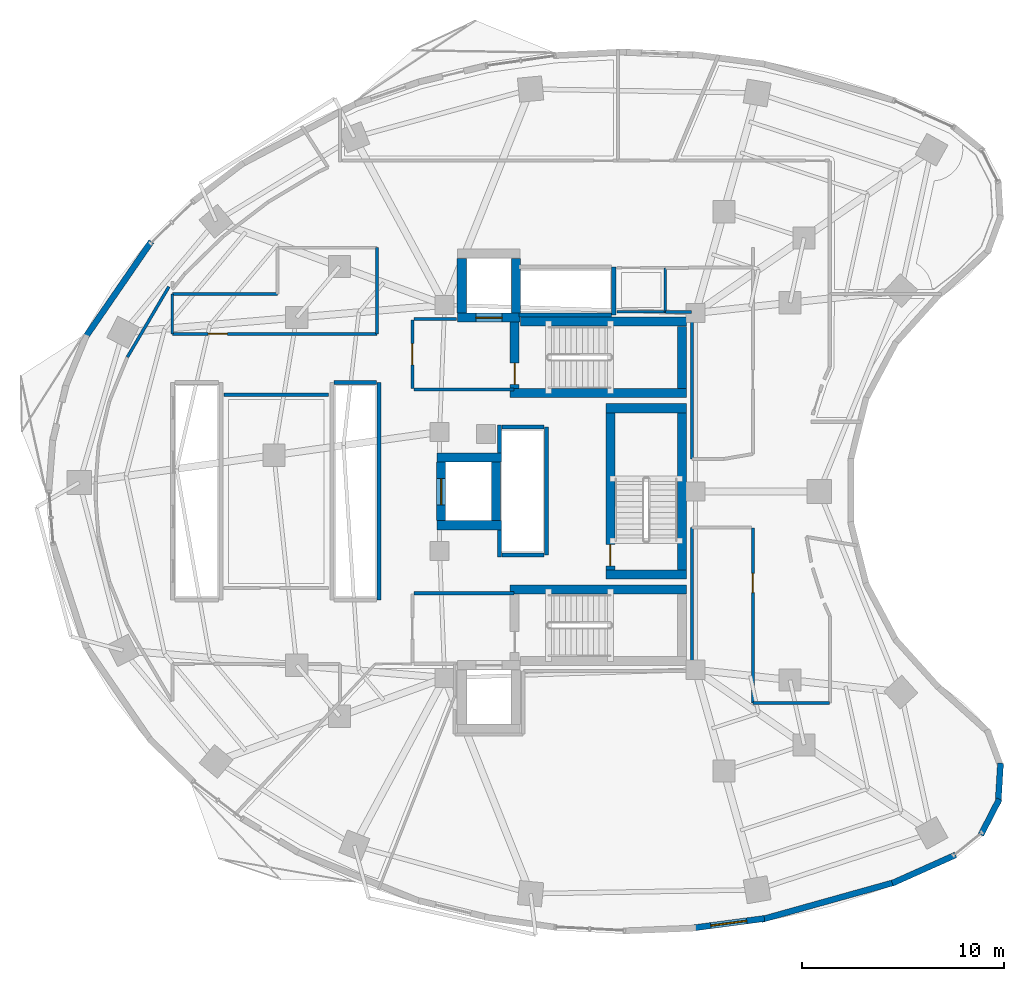
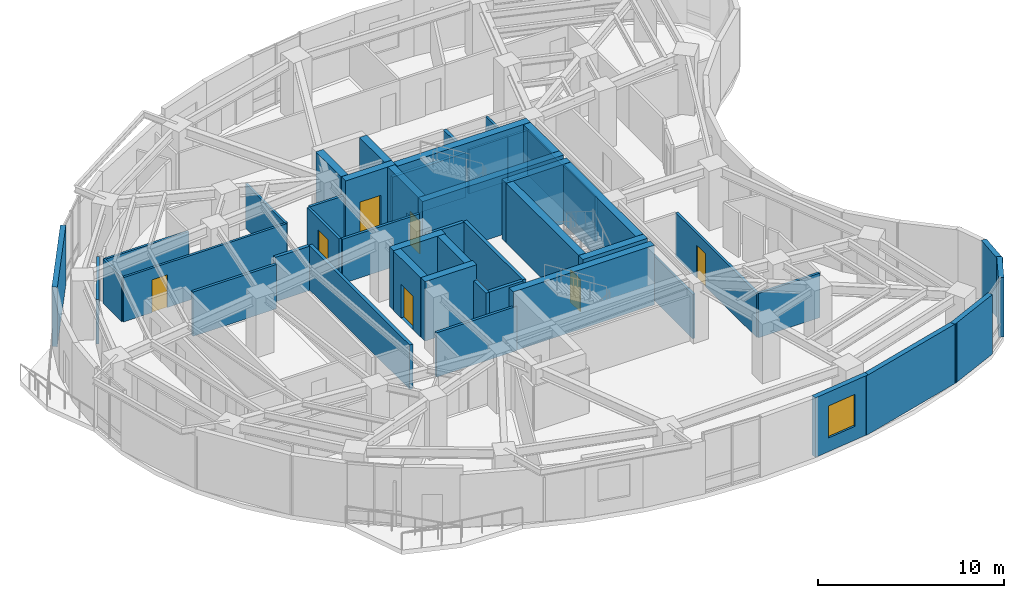
# One storey, part 9 of 14: 48 walls, 7 doors, 1 window, 8 openings.
"""IFC4 building model written with IfcOpenShell, lengths in metres."""

from ifc_helpers import new_model, si_unit, direction, frame, frame_2d, origin, place, context, subcontext, project, spatial, rectangle, extrude, material, layer, layer_set, type_object, element, fill, save


model = new_model("IFC4")

# Units and contexts
model_context = context("Model", 3, precision=1e-05, world=origin(), true_north=direction((0.0, 1.0)))
body_context = subcontext(model_context, "Body", "Model", "MODEL_VIEW")
ifc_project = project(units=[si_unit("LENGTHUNIT", "METRE"), si_unit("AREAUNIT", "SQUARE_METRE"), si_unit("VOLUMEUNIT", "CUBIC_METRE"), si_unit("PLANEANGLEUNIT", "RADIAN"), si_unit("MASSUNIT", "GRAM", prefix="KILO")], contexts=[model_context])

# Site, building, storey
site_placement = place(None, origin())
site = spatial("IfcSite", under=ifc_project, at=site_placement, CompositionType="ELEMENT")
building_placement = place(site_placement, origin())
building = spatial("IfcBuilding", under=site, at=building_placement, Name="Korentha Bioscience Tower", CompositionType="ELEMENT")
storey_placement = place(building_placement, frame((0.0, 0.0, 102.60009765625)))
storey = spatial("IfcBuildingStorey", under=building, at=storey_placement, Name="L23", CompositionType="ELEMENT", Elevation=102.60009765625)

# Wall, opening, door
ifc_material_1 = material(Name="Double-Stud Acoustic Gypsum", Category="gypsum")
ifc_layer_1 = layer(ifc_material_1, 0.14990234375, Name="Double-Stud Acoustic Gypsum")
ifc_layer_set_1 = layer_set([ifc_layer_1], Name="Double-Stud Acoustic Gypsum (IW-L150)")
wall_type_1 = type_object("IfcWallType", Name="Acoustic Laboratory Partition Wall 150", PredefinedType="PARTITIONING", material=ifc_layer_set_1)
wall_1_placement = place(storey_placement, frame((40.389892578125, 25.186279296875, 0.0), z_axis=(0.0, 0.0, 1.0), x_axis=(0.0, -1.0, 0.0)))
wall_1 = element("IfcWall", 1, at=wall_1_placement, inside=storey, type_object=wall_type_1, Name="L23 Staff Pantry Kitchenette 03 Entrance Wall", PredefinedType="PARTITIONING", context=body_context, shape_type="SweptSolid", body=[
    extrude(rectangle(XDim=8.686279296875, YDim=0.14990234375, at=frame_2d((4.34326171875, 0.0))), origin(), (0.0, 0.0, 1.0), 2.909912109375),
])
opening_1_placement = place(wall_1_placement, frame((2.25830078125, 0.0, 0.0)))
opening_1 = element("IfcOpeningElement", 2, at=opening_1_placement, cuts=wall_1, Name="Opening ID-10L", PredefinedType="OPENING", context=body_context, shape_type="SweptSolid", body=[
    extrude(rectangle(XDim=0.949951171875, YDim=2.14990234375, at=frame_2d((0.47509765625, 1.074951171875))), frame((0.0, 0.08984375, 0.0), z_axis=(0.0, -1.0, 0.0), x_axis=(1.0, 0.0, 0.0)), (0.0, 0.0, 1.0), 0.1796875),
])
ifc_material_2 = material(Name="Phenolic Laminate Timber Core", Category="wood")
door_type_1 = type_object("IfcDoorType", Name="Laboratory Single Leaf Door 950x2150 Left", OperationType="SINGLE_SWING_LEFT", PredefinedType="DOOR", material=ifc_material_2)
door_1_placement = place(opening_1_placement, origin())
door_1 = element("IfcDoor", 3, at=door_1_placement, inside=storey, type_object=door_type_1, Name="L23 Staff Pantry Kitchenette 03 Door", OperationType="SINGLE_SWING_LEFT", OverallHeight=2.14990234375, OverallWidth=0.949951171875, PredefinedType="DOOR", context=body_context, shape_type="SweptSolid", body=[
    extrude(rectangle(XDim=0.949951171875, YDim=2.14990234375, at=frame_2d((0.47509765625, 1.074951171875))), frame((0.0, 0.02490234375, 0.0), z_axis=(0.0, -1.0, 0.0), x_axis=(1.0, 0.0, 0.0)), (0.0, 0.0, 1.0), 0.050048828125),
])
fill(opening_1, door_1)

# Walls
wall_2_placement = place(storey_placement, frame((11.418701171875, 37.154296875, 0.0), z_axis=(0.0, 0.0, 1.0), x_axis=(-0.508183269016, -0.861248956511, 0.0)))
element("IfcWall", 4, at=wall_2_placement, inside=storey, type_object=wall_type_1, Name="L23 Interior Partition 021", PredefinedType="PARTITIONING", context=body_context, shape_type="SweptSolid", body=[
    extrude(rectangle(XDim=4.052734375, YDim=0.14990234375, at=frame_2d((2.0263671875, 0.0))), origin(), (0.0, 0.0, 1.0), 2.909912109375),
])
wall_3_placement = place(storey_placement, frame((37.360107421875, 18.10009765625, 0.0), z_axis=(0.0, 0.0, 1.0), x_axis=(0.0, 1.0, 0.0)))
element("IfcWall", 5, at=wall_3_placement, inside=storey, type_object=wall_type_1, Name="L23 Interior Partition 039", PredefinedType="PARTITIONING", context=body_context, shape_type="SweptSolid", body=[
    extrude(rectangle(XDim=7.097900390625, YDim=0.14990234375, at=frame_2d((3.548828125, 0.0))), origin(), (0.0, 0.0, 1.0), 2.909912109375),
])
wall_4_placement = place(storey_placement, frame((40.39990234375, 16.489990234375, 0.0), z_axis=(0.0, 0.0, 1.0), x_axis=(1.0, 0.0, 0.0)))
element("IfcWall", 6, at=wall_4_placement, inside=storey, type_object=wall_type_1, Name="L23 Interior Partition 041", PredefinedType="PARTITIONING", context=body_context, shape_type="SweptSolid", body=[
    extrude(rectangle(XDim=3.800048828125, YDim=0.14990234375, at=frame_2d((1.89990234375, 0.0))), origin(), (0.0, 0.0, 1.0), 2.909912109375),
])
wall_5_placement = place(storey_placement, frame((37.360107421875, 28.610107421875, 0.0), z_axis=(0.0, 0.0, 1.0), x_axis=(0.0, 1.0, 0.0)))
element("IfcWall", 7, at=wall_5_placement, inside=storey, type_object=wall_type_1, Name="L23 Interior Partition 053", PredefinedType="PARTITIONING", context=body_context, shape_type="SweptSolid", body=[
    extrude(rectangle(XDim=7.289794921875, YDim=0.14990234375, at=frame_2d((3.64501953125, 0.0))), origin(), (0.0, 0.0, 1.0), 2.909912109375),
])
wall_6_placement = place(storey_placement, frame((37.35009765625, 35.909912109375, 0.0), z_axis=(0.0, 0.0, 1.0), x_axis=(-1.0, 0.0, 0.0)))
element("IfcWall", 8, at=wall_6_placement, inside=storey, type_object=wall_type_1, Name="L23 Interior Partition 054", PredefinedType="PARTITIONING", context=body_context, shape_type="SweptSolid", body=[
    extrude(rectangle(XDim=1.2900390625, YDim=0.14990234375, at=frame_2d((0.64501953125, 0.0))), origin(), (0.0, 0.0, 1.0), 2.909912109375),
])

# Wall, opening, door
ifc_material_3 = material(Name="Insulated Aluminium Honeycomb Panel", Category="aluminium")
ifc_layer_2 = layer(ifc_material_3, 0.139892578125, Name="Insulated Aluminium Honeycomb Panel")
ifc_layer_set_2 = layer_set([ifc_layer_2], Name="Insulated Aluminium Honeycomb Panel (IW-F60)")
wall_type_2 = type_object("IfcWallType", Name="Cleanroom Flush Metal Panel Partition 140", PredefinedType="PARTITIONING", material=ifc_layer_set_2)
wall_7_placement = place(storey_placement, frame((21.739990234375, 34.81005859375, 0.0), z_axis=(0.0, 0.0, 1.0), x_axis=(-1.0, 0.0, 0.0)))
wall_7 = element("IfcWall", 9, at=wall_7_placement, inside=storey, type_object=wall_type_2, Name="L23 Cryo-Specimen Cold Room 09 Entrance Wall", PredefinedType="PARTITIONING", context=body_context, shape_type="SweptSolid", body=[
    extrude(rectangle(XDim=10.14990234375, YDim=0.139892578125, at=frame_2d((5.074951171875, 0.0))), origin(), (0.0, 0.0, 1.0), 2.909912109375),
])
opening_2_placement = place(wall_7_placement, frame((7.42138671875, 0.0, 0.0)))
opening_2 = element("IfcOpeningElement", 10, at=opening_2_placement, cuts=wall_7, Name="Opening ID-10L", PredefinedType="OPENING", context=body_context, shape_type="SweptSolid", body=[
    extrude(rectangle(XDim=0.949951171875, YDim=2.14990234375, at=frame_2d((0.47509765625, 1.074951171875))), frame((0.0, 0.0849609375, 0.0), z_axis=(0.0, -1.0, 0.0), x_axis=(1.0, 0.0, 0.0)), (0.0, 0.0, 1.0), 0.169677734375),
])
door_2_placement = place(opening_2_placement, origin())
door_2 = element("IfcDoor", 11, at=door_2_placement, inside=storey, type_object=door_type_1, Name="L23 Cryo-Specimen Cold Room 09 Door", OperationType="SINGLE_SWING_LEFT", OverallHeight=2.14990234375, OverallWidth=0.949951171875, PredefinedType="DOOR", context=body_context, shape_type="SweptSolid", body=[
    extrude(rectangle(XDim=0.949951171875, YDim=2.14990234375, at=frame_2d((0.47509765625, 1.074951171875))), frame((0.0, 0.02490234375, 0.0), z_axis=(0.0, -1.0, 0.0), x_axis=(1.0, 0.0, 0.0)), (0.0, 0.0, 1.0), 0.050048828125),
])
fill(opening_2, door_2)

# Walls
wall_8_placement = place(storey_placement, frame((21.739990234375, 39.090087890625, 0.0), z_axis=(0.0, 0.0, 1.0), x_axis=(0.0, -1.0, 0.0)))
element("IfcWall", 12, at=wall_8_placement, inside=storey, type_object=wall_type_2, Name="L23 Interior Partition 065", PredefinedType="PARTITIONING", context=body_context, shape_type="SweptSolid", body=[
    extrude(rectangle(XDim=4.280029296875, YDim=0.139892578125, at=frame_2d((2.14013671875, 0.0))), origin(), (0.0, 0.0, 1.0), 2.909912109375),
])
wall_9_placement = place(storey_placement, frame((11.590087890625, 34.81005859375, 0.0), z_axis=(0.0, 0.0, 1.0), x_axis=(0.0, 1.0, 0.0)))
element("IfcWall", 13, at=wall_9_placement, inside=storey, type_object=wall_type_2, Name="L23 Interior Partition 066", PredefinedType="PARTITIONING", context=body_context, shape_type="SweptSolid", body=[
    extrude(rectangle(XDim=1.97998046875, YDim=0.139892578125, at=frame_2d((0.989990234375, 0.0))), origin(), (0.0, 0.0, 1.0), 2.909912109375),
])
wall_10_placement = place(storey_placement, frame((11.590087890625, 36.7900390625, 0.0), z_axis=(0.0, 0.0, 1.0), x_axis=(1.0, 0.0, 0.0)))
element("IfcWall", 14, at=wall_10_placement, inside=storey, type_object=wall_type_2, Name="L23 Interior Partition 067", PredefinedType="PARTITIONING", context=body_context, shape_type="SweptSolid", body=[
    extrude(rectangle(XDim=5.2099609375, YDim=0.139892578125, at=frame_2d((2.60498046875, 0.0))), origin(), (0.0, 0.0, 1.0), 2.909912109375),
])

# Wall, opening, door
ifc_material_4 = material(Name="Gypsum-Clad Steel Stud", Category="steel")
ifc_layer_3 = layer(ifc_material_4, 0.159912109375, Name="Gypsum-Clad Steel Stud")
ifc_layer_set_3 = layer_set([ifc_layer_3], Name="Gypsum-Clad Steel Stud (IW-C160)")
wall_type_3 = type_object("IfcWallType", Name="Fire-Rated Corridor Partition Wall 160", PredefinedType="PARTITIONING", material=ifc_layer_set_3)
wall_11_placement = place(storey_placement, frame((23.5, 32.10009765625, 0.0), z_axis=(0.0, 0.0, 1.0), x_axis=(0.0, 1.0, 0.0)))
wall_11 = element("IfcWall", 15, at=wall_11_placement, inside=storey, type_object=wall_type_3, Name="L23 FFLN-CW Rated Enclosure Wall", PredefinedType="PARTITIONING", context=body_context, shape_type="SweptSolid", body=[
    extrude(rectangle(XDim=3.39990234375, YDim=0.159912109375, at=frame_2d((1.699951171875, 0.0))), origin(), (0.0, 0.0, 1.0), 2.909912109375),
])
opening_3_placement = place(wall_11_placement, frame((1.175048828125, 0.0, 0.0)))
opening_3 = element("IfcOpeningElement", 16, at=opening_3_placement, cuts=wall_11, Name="Opening FD-90R", PredefinedType="OPENING", context=body_context, shape_type="SweptSolid", body=[
    extrude(rectangle(XDim=1.050048828125, YDim=2.14990234375, at=frame_2d((0.52490234375, 1.074951171875))), frame((0.0, 0.0947265625, 0.0), z_axis=(0.0, -1.0, 0.0), x_axis=(1.0, 0.0, 0.0)), (0.0, 0.0, 1.0), 0.189697265625),
])
ifc_material_5 = material(Name="Powder-Coated Fire-Rated Steel", Category="steel")
door_type_2 = type_object("IfcDoorType", Name="Stairwell Fire Exit Door 1050x2150 Right", OperationType="SINGLE_SWING_RIGHT", PredefinedType="DOOR", material=ifc_material_5)
door_3_placement = place(opening_3_placement, origin())
door_3 = element("IfcDoor", 17, at=door_3_placement, inside=storey, type_object=door_type_2, Name="L23 North Firefighting Lobby Door", OperationType="SINGLE_SWING_RIGHT", OverallHeight=2.14990234375, OverallWidth=1.050048828125, PredefinedType="DOOR", context=body_context, shape_type="SweptSolid", body=[
    extrude(rectangle(XDim=1.050048828125, YDim=2.14990234375, at=frame_2d((0.52490234375, 1.074951171875))), frame((0.0, 0.02490234375, 0.0), z_axis=(0.0, -1.0, 0.0), x_axis=(1.0, 0.0, 0.0)), (0.0, 0.0, 1.0), 0.050048828125),
])
fill(opening_3, door_3)

# Walls
wall_12_placement = place(storey_placement, frame((23.580078125, 32.050048828125, 0.0), z_axis=(0.0, 0.0, 1.0), x_axis=(1.0, 0.0, 0.0)))
element("IfcWall", 18, at=wall_12_placement, inside=storey, type_object=wall_type_3, Name="L23 Firefighting Lobby Return Wall FFLN-S", PredefinedType="PARTITIONING", context=body_context, shape_type="SweptSolid", body=[
    extrude(rectangle(XDim=4.969970703125, YDim=0.159912109375, at=frame_2d((2.48486328125, 0.0))), origin(), (0.0, 0.0, 1.0), 2.909912109375),
])
wall_13_placement = place(storey_placement, frame((23.580078125, 35.550048828125, 0.0), z_axis=(0.0, 0.0, 1.0), x_axis=(1.0, 0.0, 0.0)))
element("IfcWall", 19, at=wall_13_placement, inside=storey, type_object=wall_type_3, Name="L23 Firefighting Lobby Return Wall FFLN-N", PredefinedType="PARTITIONING", context=body_context, shape_type="SweptSolid", body=[
    extrude(rectangle(XDim=2.119873046875, YDim=0.159912109375, at=frame_2d((1.06005859375, 0.0))), origin(), (0.0, 0.0, 1.0), 2.909912109375),
])
wall_14_placement = place(storey_placement, frame((23.580078125, 21.949951171875, 0.0), z_axis=(0.0, 0.0, 1.0), x_axis=(1.0, 0.0, 0.0)))
element("IfcWall", 20, at=wall_14_placement, inside=storey, type_object=wall_type_3, Name="L23 Firefighting Lobby Return Wall FFLS-N", PredefinedType="PARTITIONING", context=body_context, shape_type="SweptSolid", body=[
    extrude(rectangle(XDim=4.969970703125, YDim=0.159912109375, at=frame_2d((2.48486328125, 0.0))), origin(), (0.0, 0.0, 1.0), 2.909912109375),
])
wall_15_placement = place(storey_placement, frame((14.159912109375, 31.7900390625, 0.0), z_axis=(0.0, 0.0, 1.0), x_axis=(1.0, 0.0, 0.0)))
element("IfcWall", 21, at=wall_15_placement, inside=storey, type_object=wall_type_3, Name="L23 Interior Partition 068", PredefinedType="PARTITIONING", context=body_context, shape_type="SweptSolid", body=[
    extrude(rectangle(XDim=5.18017578125, YDim=0.159912109375, at=frame_2d((2.590087890625, 0.0))), origin(), (0.0, 0.0, 1.0), 2.909912109375),
])

# Wall, opening, window
ifc_material_6 = material(Name="Honed Limestone Precast Concrete C40", Category="masonry")
ifc_layer_4 = layer(ifc_material_6, 0.300048828125, Name="Honed Limestone Precast Concrete C40")
ifc_layer_set_4 = layer_set([ifc_layer_4], Name="Honed Limestone Precast Concrete C40 (EW-ST300)")
wall_type_4 = type_object("IfcWallType", Name="Honed Limestone Cavity Spandrel Wall 300", PredefinedType="STANDARD", material=ifc_layer_set_4)
wall_16_placement = place(storey_placement, frame((37.41943359375, 5.34130859375, 0.0), z_axis=(0.0, 0.0, 1.0), x_axis=(0.991369257822, 0.131099178664, 0.0)))
wall_16 = element("IfcWall", 22, at=wall_16_placement, inside=storey, type_object=wall_type_4, Name="L23 Honed Limestone Spandrel Wall 33", PredefinedType="STANDARD", context=body_context, shape_type="SweptSolid", body=[
    extrude(rectangle(XDim=3.575439453125, YDim=0.300048828125, at=frame_2d((1.78759765625, 0.0))), origin(), (0.0, 0.0, 1.0), 3.89990234375),
])
opening_4_placement = place(wall_16_placement, frame((0.8876953125, 0.0, 0.89990234375)))
opening_4 = element("IfcOpeningElement", 23, at=opening_4_placement, cuts=wall_16, Name="Opening WN-01", PredefinedType="OPENING", context=body_context, shape_type="SweptSolid", body=[
    extrude(rectangle(XDim=1.800048828125, YDim=2.10009765625, at=frame_2d((0.89990234375, 1.050048828125))), frame((0.0, 0.1650390625, 0.0), z_axis=(0.0, -1.0, 0.0), x_axis=(1.0, 0.0, 0.0)), (0.0, 0.0, 1.0), 0.329833984375),
])
ifc_material_7 = material(Name="Thermally Broken Aluminium Triple Glazing", Category="aluminium")
window_type = type_object("IfcWindowType", Name="Triple-Glazed Fixed Bioscience Window 1800x2100", PartitioningType="SINGLE_PANEL", PredefinedType="WINDOW", material=ifc_material_7)
window_placement = place(opening_4_placement, origin())
window = element("IfcWindow", 24, at=window_placement, inside=storey, type_object=window_type, Name="L23 Facade Window 33", OverallHeight=2.10009765625, OverallWidth=1.800048828125, PartitioningType="SINGLE_PANEL", PredefinedType="WINDOW", context=body_context, shape_type="SweptSolid", body=[
    extrude(rectangle(XDim=1.800048828125, YDim=2.10009765625, at=frame_2d((0.89990234375, 1.050048828125))), frame((0.0, 0.030029296875, 0.0), z_axis=(0.0, -1.0, 0.0), x_axis=(1.0, 0.0, 0.0)), (0.0, 0.0, 1.0), 0.06005859375),
])
fill(opening_4, window)

# Walls
wall_17_placement = place(storey_placement, frame((10.54833984375, 39.400390625, 0.0), z_axis=(0.0, 0.0, 1.0), x_axis=(-0.566825798999, -0.823837674296, 0.0)))
element("IfcWall", 25, at=wall_17_placement, inside=storey, type_object=wall_type_4, Name="L23 Limestone Perimeter Closure Wall 14", PredefinedType="STANDARD", context=body_context, shape_type="SweptSolid", body=[
    extrude(rectangle(XDim=5.825927734375, YDim=0.300048828125, at=frame_2d((2.9130859375, 0.0))), origin(), (0.0, 0.0, 1.0), 3.89990234375),
])
wall_18_placement = place(storey_placement, frame((40.810791015625, 5.7568359375, 0.0), z_axis=(0.0, 0.0, 1.0), x_axis=(0.963116215402, 0.269085777459, 0.0)))
element("IfcWall", 26, at=wall_18_placement, inside=storey, type_object=wall_type_4, Name="L23 Limestone Perimeter Closure Wall 34", PredefinedType="STANDARD", context=body_context, shape_type="SweptSolid", body=[
    extrude(rectangle(XDim=6.923583984375, YDim=0.300048828125, at=frame_2d((3.4619140625, 0.0))), origin(), (0.0, 0.0, 1.0), 3.89990234375),
])
wall_19_placement = place(storey_placement, frame((47.309326171875, 7.55859375, 0.0), z_axis=(0.0, 0.0, 1.0), x_axis=(0.912672725317, 0.408691199395, 0.0)))
element("IfcWall", 27, at=wall_19_placement, inside=storey, type_object=wall_type_4, Name="L23 Limestone Perimeter Closure Wall 36", PredefinedType="STANDARD", context=body_context, shape_type="SweptSolid", body=[
    extrude(rectangle(XDim=3.44091796875, YDim=0.300048828125, at=frame_2d((1.720458984375, 0.0))), origin(), (0.0, 0.0, 1.0), 3.89990234375),
])
for number, where, z_axis, x_axis, name in (
    (28, (51.701171875, 9.953125, 0.0), (0.0, 0.0, 1.0), (0.457596540329, 0.889159944149, 0.0), "L23 Limestone Perimeter Closure Wall 38"),
    (29, (52.55859375, 11.522705078125, 0.0), (0.0, 0.0, 1.0), (0.060255200356, 0.998183004679, 0.0), "L23 Limestone Perimeter Closure Wall 39"),
):
    element("IfcWall", number, at=place(storey_placement, frame(where, z_axis=z_axis, x_axis=x_axis)), inside=storey, type_object=wall_type_4, Name=name, PredefinedType="STANDARD", context=body_context, shape_type="SweptSolid", body=[
        extrude(rectangle(XDim=1.99755859375, YDim=0.300048828125, at=frame_2d((0.998779296875, 0.0))), origin(), (0.0, 0.0, 1.0), 3.89990234375),
    ])
ifc_material_8 = material(Name="Autoclaved Aerated Concrete Block C25", Category="concrete")
ifc_layer_5 = layer(ifc_material_8, 0.199951171875, Name="Autoclaved Aerated Concrete Block C25")
ifc_layer_set_5 = layer_set([ifc_layer_5], Name="Autoclaved Aerated Concrete Block C25 (IW-S200)")
wall_type_5 = type_object("IfcWallType", Name="Lift and Riser Shaft Enclosure Wall 200", PredefinedType="PARTITIONING", material=ifc_layer_set_5)
wall_20_placement = place(storey_placement, frame((21.85009765625, 21.60009765625, 0.0), z_axis=(0.0, 0.0, 1.0), x_axis=(0.0, 1.0, 0.0)))
element("IfcWall", 30, at=wall_20_placement, inside=storey, type_object=wall_type_5, Name="L23 Lift Bank MID Shaft Wall +X", PredefinedType="PARTITIONING", context=body_context, shape_type="SweptSolid", body=[
    extrude(rectangle(XDim=10.7998046875, YDim=0.199951171875, at=frame_2d((5.39990234375, 0.0))), origin(), (0.0, 0.0, 1.0), 2.909912109375),
])
wall_21_placement = place(storey_placement, frame((19.6201171875, 32.39990234375, 0.0), z_axis=(0.0, 0.0, 1.0), x_axis=(1.0, 0.0, 0.0)))
element("IfcWall", 31, at=wall_21_placement, inside=storey, type_object=wall_type_5, Name="L23 Lift Bank MID Shaft Wall +Y", PredefinedType="PARTITIONING", context=body_context, shape_type="SweptSolid", body=[
    extrude(rectangle(XDim=2.10986328125, YDim=0.199951171875, at=frame_2d((1.054931640625, 0.0))), origin(), (0.0, 0.0, 1.0), 2.909912109375),
])
wall_22_placement = place(storey_placement, frame((27.830078125, 23.75, 0.0), z_axis=(0.0, 0.0, 1.0), x_axis=(0.0, 1.0, 0.0)))
element("IfcWall", 32, at=wall_22_placement, inside=storey, type_object=wall_type_5, Name="L23 Lift Bank HIGH Shaft Wall -XS", PredefinedType="PARTITIONING", context=body_context, shape_type="SweptSolid", body=[
    extrude(rectangle(XDim=1.341064453125, YDim=0.199951171875, at=frame_2d((0.67041015625, 0.0))), origin(), (0.0, 0.0, 1.0), 2.909912109375),
])
wall_23_placement = place(storey_placement, frame((27.830078125, 28.908935546875, 0.0), z_axis=(0.0, 0.0, 1.0), x_axis=(0.0, 1.0, 0.0)))
element("IfcWall", 33, at=wall_23_placement, inside=storey, type_object=wall_type_5, Name="L23 Lift Bank HIGH Shaft Wall -XN", PredefinedType="PARTITIONING", context=body_context, shape_type="SweptSolid", body=[
    extrude(rectangle(XDim=1.39111328125, YDim=0.199951171875, at=frame_2d((0.695556640625, 0.0))), origin(), (0.0, 0.0, 1.0), 2.909912109375),
])
wall_24_placement = place(storey_placement, frame((30.14990234375, 23.85009765625, 0.0), z_axis=(0.0, 0.0, 1.0), x_axis=(0.0, 1.0, 0.0)))
element("IfcWall", 34, at=wall_24_placement, inside=storey, type_object=wall_type_5, Name="L23 Lift Bank HIGH Shaft Wall +X", PredefinedType="PARTITIONING", context=body_context, shape_type="SweptSolid", body=[
    extrude(rectangle(XDim=6.349853515625, YDim=0.199951171875, at=frame_2d((3.1748046875, 0.0))), origin(), (0.0, 0.0, 1.0), 2.909912109375),
])
for number, where, z_axis, x_axis, name in (
    (35, (27.93408203125, 23.85009765625, 0.0), (0.0, 0.0, 1.0), (1.0, 0.0, 0.0), "L23 Lift Bank HIGH Shaft Wall -Y"),
    (36, (27.93408203125, 30.199951171875, 0.0), (0.0, 0.0, 1.0), (1.0, 0.0, 0.0), "L23 Lift Bank HIGH Shaft Wall +Y"),
):
    element("IfcWall", number, at=place(storey_placement, frame(where, z_axis=z_axis, x_axis=x_axis)), inside=storey, type_object=wall_type_5, Name=name, PredefinedType="PARTITIONING", context=body_context, shape_type="SweptSolid", body=[
        extrude(rectangle(XDim=2.095947265625, YDim=0.199951171875, at=frame_2d((1.0478515625, 0.0))), origin(), (0.0, 0.0, 1.0), 2.909912109375),
    ])
wall_25_placement = place(storey_placement, frame((33.489990234375, 35.760009765625, 0.0), z_axis=(0.0, 0.0, 1.0), x_axis=(0.0, 1.0, 0.0)))
element("IfcWall", 37, at=wall_25_placement, inside=storey, type_object=wall_type_5, Name="L23 Lift Bank OBS Shaft Wall +X", PredefinedType="PARTITIONING", context=body_context, shape_type="SweptSolid", body=[
    extrude(rectangle(XDim=2.3798828125, YDim=0.199951171875, at=frame_2d((1.18994140625, 0.0))), origin(), (0.0, 0.0, 1.0), 2.909912109375),
])
wall_26_placement = place(storey_placement, frame((28.800048828125, 35.760009765625, 0.0), z_axis=(0.0, 0.0, 1.0), x_axis=(1.0, 0.0, 0.0)))
element("IfcWall", 38, at=wall_26_placement, inside=storey, type_object=wall_type_5, Name="L23 Lift Bank OBS Shaft Wall -Y", PredefinedType="PARTITIONING", context=body_context, shape_type="SweptSolid", body=[
    extrude(rectangle(XDim=4.570068359375, YDim=0.199951171875, at=frame_2d((2.28515625, 0.0))), origin(), (0.0, 0.0, 1.0), 2.909912109375),
])
ifc_material_9 = material(Name="Concrete C80", Category="concrete")
ifc_layer_6 = layer(ifc_material_9, 0.449951171875, Name="Concrete C80")
ifc_layer_set_6 = layer_set([ifc_layer_6], Name="Concrete C80 (CW-C80)")
wall_type_6 = type_object("IfcWallType", Name="Lower Core Shear Wall 450", PredefinedType="SHEAR", material=ifc_layer_set_6)
wall_27_placement = place(storey_placement, frame((28.85205078125, 35.425048828125, 0.0), z_axis=(0.0, 0.0, 1.0), x_axis=(1.0, 0.0, 0.0)))
element("IfcWall", 39, at=wall_27_placement, inside=storey, type_object=wall_type_6, Name="L23 Core Shear Wall ST1-N", PredefinedType="SHEAR", context=body_context, shape_type="SweptSolid", body=[
    extrude(rectangle(XDim=8.248046875, YDim=0.449951171875, at=frame_2d((4.1240234375, 0.0))), origin(), (0.0, 0.0, 1.0), 3.89990234375),
])
wall_28_placement = place(storey_placement, frame((28.35009765625, 31.875, 0.0), z_axis=(0.0, 0.0, 1.0), x_axis=(1.0, 0.0, 0.0)))
element("IfcWall", 40, at=wall_28_placement, inside=storey, type_object=wall_type_6, Name="L23 Core Shear Wall ST1-S", PredefinedType="SHEAR", context=body_context, shape_type="SweptSolid", body=[
    extrude(rectangle(XDim=8.75, YDim=0.449951171875, at=frame_2d((4.375, 0.0))), origin(), (0.0, 0.0, 1.0), 3.89990234375),
])
wall_29_placement = place(storey_placement, frame((36.875, 32.110107421875, 0.0), z_axis=(0.0, 0.0, 1.0), x_axis=(0.0, 1.0, 0.0)))
element("IfcWall", 41, at=wall_29_placement, inside=storey, type_object=wall_type_6, Name="L23 Core Shear Wall ST1-E", PredefinedType="SHEAR", context=body_context, shape_type="SweptSolid", body=[
    extrude(rectangle(XDim=3.079833984375, YDim=0.449951171875, at=frame_2d((1.5400390625, 0.0))), origin(), (0.0, 0.0, 1.0), 3.89990234375),
])

# Wall, opening, door
wall_30_placement = place(storey_placement, frame((28.574951171875, 32.110107421875, 0.0), z_axis=(0.0, 0.0, 1.0), x_axis=(0.0, 1.0, 0.0)))
wall_30 = element("IfcWall", 42, at=wall_30_placement, inside=storey, type_object=wall_type_6, Name="L23 Core Shear Wall ST1-W", PredefinedType="SHEAR", context=body_context, shape_type="SweptSolid", body=[
    extrude(rectangle(XDim=3.282958984375, YDim=0.449951171875, at=frame_2d((1.6416015625, 0.0))), origin(), (0.0, 0.0, 1.0), 3.89990234375),
])
opening_5_placement = place(wall_30_placement, frame((0.199951171875, 0.0, 0.0)))
opening_5 = element("IfcOpeningElement", 43, at=opening_5_placement, cuts=wall_30, Name="Opening FD-90R", PredefinedType="OPENING", context=body_context, shape_type="SweptSolid", body=[
    extrude(rectangle(XDim=1.050048828125, YDim=2.14990234375, at=frame_2d((0.52490234375, 1.074951171875))), frame((0.0, 0.23974609375, 0.0), z_axis=(0.0, -1.0, 0.0), x_axis=(1.0, 0.0, 0.0)), (0.0, 0.0, 1.0), 0.479736328125),
])
door_4_placement = place(opening_5_placement, origin())
door_4 = element("IfcDoor", 44, at=door_4_placement, inside=storey, type_object=door_type_2, Name="L23 ST-1 Fire Exit Stair Door", OperationType="SINGLE_SWING_RIGHT", OverallHeight=2.14990234375, OverallWidth=1.050048828125, PredefinedType="DOOR", context=body_context, shape_type="SweptSolid", body=[
    extrude(rectangle(XDim=1.050048828125, YDim=2.14990234375, at=frame_2d((0.52490234375, 1.074951171875))), frame((0.0, 0.02490234375, 0.0), z_axis=(0.0, -1.0, 0.0), x_axis=(1.0, 0.0, 0.0)), (0.0, 0.0, 1.0), 0.050048828125),
])
fill(opening_5, door_4)

# Walls
wall_31_placement = place(storey_placement, frame((28.35009765625, 22.125, 0.0), z_axis=(0.0, 0.0, 1.0), x_axis=(1.0, 0.0, 0.0)))
element("IfcWall", 45, at=wall_31_placement, inside=storey, type_object=wall_type_6, Name="L23 Core Shear Wall ST2-N", PredefinedType="SHEAR", context=body_context, shape_type="SweptSolid", body=[
    extrude(rectangle(XDim=8.75, YDim=0.449951171875, at=frame_2d((4.375, 0.0))), origin(), (0.0, 0.0, 1.0), 3.89990234375),
])
for number, where, z_axis, x_axis, name in (
    (46, (33.10009765625, 31.125, 0.0), (0.0, 0.0, 1.0), (1.0, 0.0, 0.0), "L23 Core Shear Wall ST3-N"),
    (47, (33.10009765625, 22.875, 0.0), (0.0, 0.0, 1.0), (1.0, 0.0, 0.0), "L23 Core Shear Wall ST3-S"),
):
    element("IfcWall", number, at=place(storey_placement, frame(where, z_axis=z_axis, x_axis=x_axis)), inside=storey, type_object=wall_type_6, Name=name, PredefinedType="SHEAR", context=body_context, shape_type="SweptSolid", body=[
        extrude(rectangle(XDim=4.0, YDim=0.449951171875, at=frame_2d((2.0, 0.0))), origin(), (0.0, 0.0, 1.0), 3.89990234375),
    ])
wall_32_placement = place(storey_placement, frame((36.875, 23.110107421875, 0.0), z_axis=(0.0, 0.0, 1.0), x_axis=(0.0, 1.0, 0.0)))
element("IfcWall", 48, at=wall_32_placement, inside=storey, type_object=wall_type_6, Name="L23 Core Shear Wall ST3-E", PredefinedType="SHEAR", context=body_context, shape_type="SweptSolid", body=[
    extrude(rectangle(XDim=7.77978515625, YDim=0.449951171875, at=frame_2d((3.889892578125, 0.0))), origin(), (0.0, 0.0, 1.0), 3.89990234375),
])

# Wall, opening, door
wall_33_placement = place(storey_placement, frame((33.324951171875, 23.110107421875, 0.0), z_axis=(0.0, 0.0, 1.0), x_axis=(0.0, 1.0, 0.0)))
wall_33 = element("IfcWall", 49, at=wall_33_placement, inside=storey, type_object=wall_type_6, Name="L23 Core Shear Wall ST3-W", PredefinedType="SHEAR", context=body_context, shape_type="SweptSolid", body=[
    extrude(rectangle(XDim=7.77978515625, YDim=0.449951171875, at=frame_2d((3.889892578125, 0.0))), origin(), (0.0, 0.0, 1.0), 3.89990234375),
])
opening_6_placement = place(wall_33_placement, frame((0.199951171875, 0.0, 0.0)))
opening_6 = element("IfcOpeningElement", 50, at=opening_6_placement, cuts=wall_33, Name="Opening FD-90R", PredefinedType="OPENING", context=body_context, shape_type="SweptSolid", body=[
    extrude(rectangle(XDim=1.050048828125, YDim=2.14990234375, at=frame_2d((0.52490234375, 1.074951171875))), frame((0.0, 0.23974609375, 0.0), z_axis=(0.0, -1.0, 0.0), x_axis=(1.0, 0.0, 0.0)), (0.0, 0.0, 1.0), 0.479736328125),
])
door_5_placement = place(opening_6_placement, origin())
door_5 = element("IfcDoor", 51, at=door_5_placement, inside=storey, type_object=door_type_2, Name="L23 ST-3 Fire Exit Stair Door", OperationType="SINGLE_SWING_RIGHT", OverallHeight=2.14990234375, OverallWidth=1.050048828125, PredefinedType="DOOR", context=body_context, shape_type="SweptSolid", body=[
    extrude(rectangle(XDim=1.050048828125, YDim=2.14990234375, at=frame_2d((0.52490234375, 1.074951171875))), frame((0.0, 0.02490234375, 0.0), z_axis=(0.0, -1.0, 0.0), x_axis=(1.0, 0.0, 0.0)), (0.0, 0.0, 1.0), 0.050048828125),
])
fill(opening_6, door_5)

wall_34_placement = place(storey_placement, frame((25.75, 35.6201171875, 0.0), z_axis=(0.0, 0.0, 1.0), x_axis=(1.0, 0.0, 0.0)))
wall_34 = element("IfcWall", 52, at=wall_34_placement, inside=storey, type_object=wall_type_6, Name="L23 Core Shear Wall FFL2-S", PredefinedType="SHEAR", context=body_context, shape_type="SweptSolid", body=[
    extrude(rectangle(XDim=3.10009765625, YDim=0.449951171875, at=frame_2d((1.550048828125, 0.0))), origin(), (0.0, 0.0, 1.0), 3.89990234375),
])
opening_7_placement = place(wall_34_placement, frame((0.89990234375, 0.0, 0.0)))
opening_7 = element("IfcOpeningElement", 53, at=opening_7_placement, cuts=wall_34, Name="Opening LD-13", PredefinedType="OPENING", context=body_context, shape_type="SweptSolid", body=[
    extrude(rectangle(XDim=1.300048828125, YDim=2.199951171875, at=frame_2d((0.64990234375, 1.10009765625))), frame((0.0, 0.23974609375, 0.0), z_axis=(0.0, -1.0, 0.0), x_axis=(1.0, 0.0, 0.0)), (0.0, 0.0, 1.0), 0.479736328125),
])
ifc_material_10 = material(Name="Brushed Stainless Steel 316", Category="steel")
door_type_3 = type_object("IfcDoorType", Name="Service & Firefighting Lift Landing Door 1300x2300", OperationType="DOUBLE_DOOR_SLIDING", PredefinedType="DOOR", material=ifc_material_10)
door_6_placement = place(opening_7_placement, origin())
door_6 = element("IfcDoor", 54, at=door_6_placement, inside=storey, type_object=door_type_3, Name="L23 FFL-2 Sliding Lift Landing Door", OperationType="DOUBLE_DOOR_SLIDING", OverallHeight=2.199951171875, OverallWidth=1.300048828125, PredefinedType="DOOR", context=body_context, shape_type="SweptSolid", body=[
    extrude(rectangle(XDim=1.300048828125, YDim=2.199951171875, at=frame_2d((0.64990234375, 1.10009765625))), frame((0.0, 0.02490234375, 0.0), z_axis=(0.0, -1.0, 0.0), x_axis=(1.0, 0.0, 0.0)), (0.0, 0.0, 1.0), 0.050048828125),
])
fill(opening_7, door_6)

# Walls
for number, where, z_axis, x_axis, name in (
    (55, (25.949951171875, 35.860107421875, 0.0), (0.0, 0.0, 1.0), (0.0, 1.0, 0.0), "L23 Core Shear Wall FFL2-W"),
    (56, (28.64990234375, 35.860107421875, 0.0), (0.0, 0.0, 1.0), (0.0, 1.0, 0.0), "L23 Core Shear Wall FFL2-E"),
):
    element("IfcWall", number, at=place(storey_placement, frame(where, z_axis=z_axis, x_axis=x_axis)), inside=storey, type_object=wall_type_6, Name=name, PredefinedType="SHEAR", context=body_context, shape_type="SweptSolid", body=[
        extrude(rectangle(XDim=2.699951171875, YDim=0.449951171875, at=frame_2d((1.35009765625, 0.0))), origin(), (0.0, 0.0, 1.0), 3.89990234375),
    ])
for number, where, z_axis, x_axis, name in (
    (57, (24.719970703125, 28.679931640625, 0.0), (0.0, 0.0, 1.0), (1.0, 0.0, 0.0), "L23 Core Shear Wall SVL1-N"),
    (58, (24.719970703125, 25.320068359375, 0.0), (0.0, 0.0, 1.0), (1.0, 0.0, 0.0), "L23 Core Shear Wall SVL1-S"),
):
    element("IfcWall", number, at=place(storey_placement, frame(where, z_axis=z_axis, x_axis=x_axis)), inside=storey, type_object=wall_type_6, Name=name, PredefinedType="SHEAR", context=body_context, shape_type="SweptSolid", body=[
        extrude(rectangle(XDim=3.2099609375, YDim=0.449951171875, at=frame_2d((1.60498046875, 0.0))), origin(), (0.0, 0.0, 1.0), 3.89990234375),
    ])

# Wall, opening, door
wall_35_placement = place(storey_placement, frame((24.919921875, 25.547119140625, 0.0), z_axis=(0.0, 0.0, 1.0), x_axis=(0.0, 1.0, 0.0)))
wall_35 = element("IfcWall", 59, at=wall_35_placement, inside=storey, type_object=wall_type_6, Name="L23 Core Shear Wall SVL1-W", PredefinedType="SHEAR", context=body_context, shape_type="SweptSolid", body=[
    extrude(rectangle(XDim=2.90576171875, YDim=0.449951171875, at=frame_2d((1.452880859375, 0.0))), origin(), (0.0, 0.0, 1.0), 3.89990234375),
])
opening_8_placement = place(wall_35_placement, frame((0.7900390625, 0.0, 0.0)))
opening_8 = element("IfcOpeningElement", 60, at=opening_8_placement, cuts=wall_35, Name="Opening LD-13", PredefinedType="OPENING", context=body_context, shape_type="SweptSolid", body=[
    extrude(rectangle(XDim=1.300048828125, YDim=2.199951171875, at=frame_2d((0.64990234375, 1.10009765625))), frame((0.0, 0.23974609375, 0.0), z_axis=(0.0, -1.0, 0.0), x_axis=(1.0, 0.0, 0.0)), (0.0, 0.0, 1.0), 0.479736328125),
])
door_7_placement = place(opening_8_placement, origin())
door_7 = element("IfcDoor", 61, at=door_7_placement, inside=storey, type_object=door_type_3, Name="L23 SVL-1 Sliding Lift Landing Door", OperationType="DOUBLE_DOOR_SLIDING", OverallHeight=2.199951171875, OverallWidth=1.300048828125, PredefinedType="DOOR", context=body_context, shape_type="SweptSolid", body=[
    extrude(rectangle(XDim=1.300048828125, YDim=2.199951171875, at=frame_2d((0.64990234375, 1.10009765625))), frame((0.0, 0.02490234375, 0.0), z_axis=(0.0, -1.0, 0.0), x_axis=(1.0, 0.0, 0.0)), (0.0, 0.0, 1.0), 0.050048828125),
])
fill(opening_8, door_7)

# Walls
wall_36_placement = place(storey_placement, frame((27.64990234375, 25.547119140625, 0.0), z_axis=(0.0, 0.0, 1.0), x_axis=(0.0, 1.0, 0.0)))
element("IfcWall", 62, at=wall_36_placement, inside=storey, type_object=wall_type_6, Name="L23 Core Shear Wall SVL1-E", PredefinedType="SHEAR", context=body_context, shape_type="SweptSolid", body=[
    extrude(rectangle(XDim=2.90576171875, YDim=0.449951171875, at=frame_2d((1.452880859375, 0.0))), origin(), (0.0, 0.0, 1.0), 3.89990234375),
])
ifc_material_11 = material(Name="Cement-Board Steel Stud", Category="steel")
ifc_layer_7 = layer(ifc_material_11, 0.1298828125, Name="Cement-Board Steel Stud")
ifc_layer_set_7 = layer_set([ifc_layer_7], Name="Cement-Board Steel Stud (IW-W130)")
wall_type_7 = type_object("IfcWallType", Name="Wet-Area Moisture-Resistant Partition 130", PredefinedType="PARTITIONING", material=ifc_layer_set_7)
wall_37_placement = place(storey_placement, frame((36.050048828125, 35.909912109375, 0.0), z_axis=(0.0, 0.0, 1.0), x_axis=(-1.0, 0.0, 0.0)))
element("IfcWall", 63, at=wall_37_placement, inside=storey, type_object=wall_type_7, Name="L23 Interior Partition 012", PredefinedType="PARTITIONING", context=body_context, shape_type="SweptSolid", body=[
    extrude(rectangle(XDim=2.400146484375, YDim=0.1298828125, at=frame_2d((1.2001953125, 0.0))), origin(), (0.0, 0.0, 1.0), 2.909912109375),
])
wall_38_placement = place(storey_placement, frame((36.050048828125, 38.090087890625, 0.0), z_axis=(0.0, 0.0, 1.0), x_axis=(0.0, -1.0, 0.0)))
element("IfcWall", 64, at=wall_38_placement, inside=storey, type_object=wall_type_7, Name="L23 Interior Partition 013", PredefinedType="PARTITIONING", context=body_context, shape_type="SweptSolid", body=[
    extrude(rectangle(XDim=2.18017578125, YDim=0.1298828125, at=frame_2d((1.090087890625, 0.0))), origin(), (0.0, 0.0, 1.0), 2.909912109375),
])

save(model, "model.ifc")
